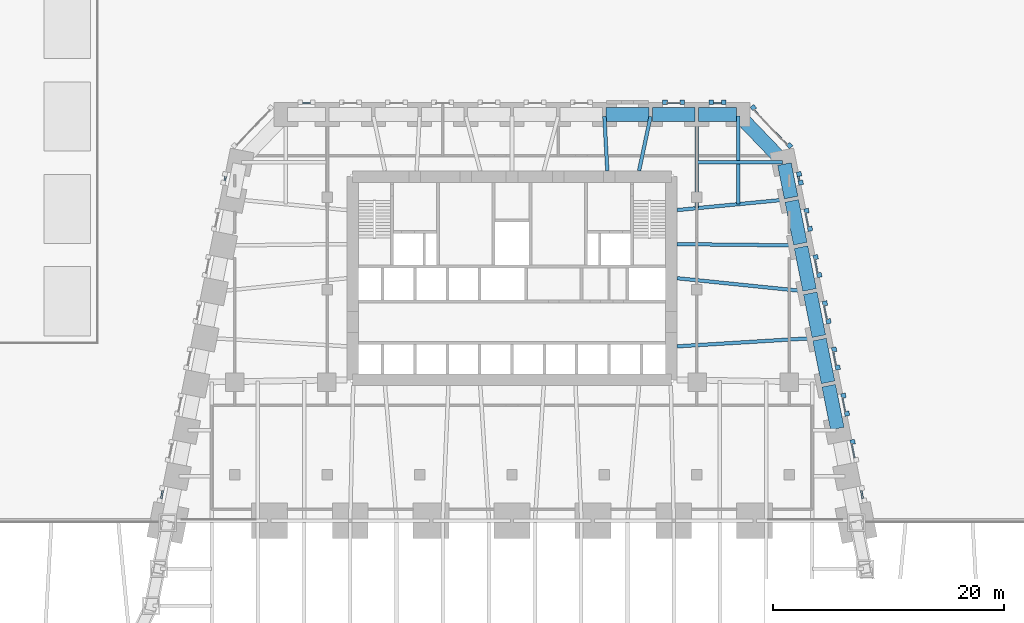
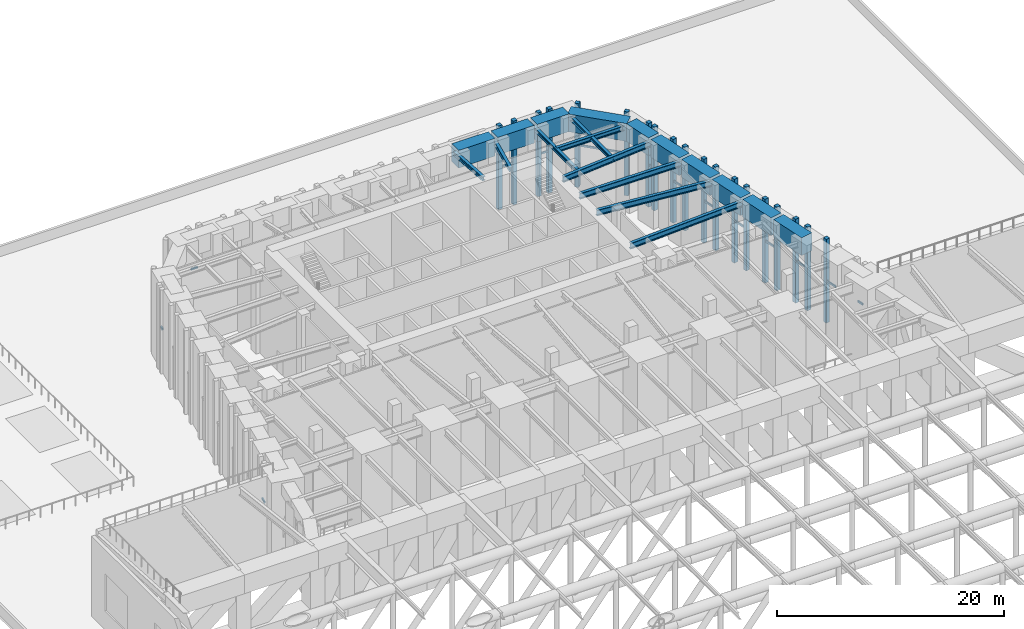
# One storey, part 9 of 20: 33 members, 19 beams, 14 elements without a shape of their own.
"""IFC4 building model written with IfcOpenShell, lengths in metres."""

from ifc_helpers import new_model, si_unit, direction, frame, origin, origin_2d, place, context, subcontext, project, spatial, rectangle, i_section, extrude, material, material_profile, profile_set, type_object, element, aggregate, save


model = new_model("IFC4")

# Units and contexts
model_context = context("Model", 3, precision=1e-05, world=origin(), true_north=direction((0.0, 1.0)))
body_context = subcontext(model_context, "Body", "Model", "MODEL_VIEW")
ifc_project = project(units=[si_unit("LENGTHUNIT", "METRE"), si_unit("AREAUNIT", "SQUARE_METRE"), si_unit("VOLUMEUNIT", "CUBIC_METRE"), si_unit("PLANEANGLEUNIT", "RADIAN"), si_unit("MASSUNIT", "GRAM", prefix="KILO")], contexts=[model_context])

# Site, building, storey
site_placement = place(None, origin())
site = spatial("IfcSite", under=ifc_project, at=site_placement, CompositionType="ELEMENT")
building_placement = place(site_placement, origin())
building = spatial("IfcBuilding", under=site, at=building_placement, Name="Isbrekke Arena Tower", CompositionType="ELEMENT")
storey_placement = place(building_placement, frame((0.0, 0.0, 19.0)))
storey = spatial("IfcBuildingStorey", under=building, at=storey_placement, Name="L03", CompositionType="ELEMENT", Elevation=19.0)

# Beams
ifc_material_1 = material(Name="Steel S355", Category="steel")
ifc_material_profile_1 = material_profile(ifc_material_1, i_section(OverallWidth=0.304931640625, OverallDepth=0.6201171875, WebThickness=0.02099609375, FlangeThickness=0.0400390625, FilletRadius=0.027099609375, at=origin_2d()), Name="HEM 600")
ifc_profile_set_1 = profile_set([ifc_material_profile_1], Name="Steel S355")
beam_type_1 = type_object("IfcBeamType", Name="B4 HEM 600", PredefinedType="BEAM", material=ifc_profile_set_1)
beam_1_placement = place(storey_placement, frame((26.431884765625, 9.837646484375, 8.43994140625), z_axis=(-0.998157121592, -0.060682457223, 0.0), x_axis=(0.060682457223, -0.998157121592, 0.0)))
element("IfcBeam", 1, at=beam_1_placement, inside=storey, type_object=beam_type_1, Name="B4 beam E-E07 L03", PredefinedType="BEAM", context=body_context, shape_type="SweptSolid", body=[
    extrude(i_section(OverallWidth=0.304931640625, OverallDepth=0.6201171875, WebThickness=0.02099609375, FlangeThickness=0.0400390625, FilletRadius=0.027099609375, at=origin_2d()), origin(), (0.0, 0.0, 1.0), 12.154296875),
])
beam_2_placement = place(storey_placement, frame((25.62548828125, 13.83984375, 8.43994140625), z_axis=(-0.99479415533, 0.10190480127, 0.0), x_axis=(-0.10190480127, -0.99479415533, 0.0)))
element("IfcBeam", 2, at=beam_2_placement, inside=storey, type_object=beam_type_1, Name="B4 beam E-E08 L03", PredefinedType="BEAM", context=body_context, shape_type="SweptSolid", body=[
    extrude(i_section(OverallWidth=0.304931640625, OverallDepth=0.6201171875, WebThickness=0.02099609375, FlangeThickness=0.0400390625, FilletRadius=0.027099609375, at=origin_2d()), origin(), (0.0, 0.0, 1.0), 11.384765625),
])
beam_3_placement = place(storey_placement, frame((24.83935546875, 17.838134765625, 8.43994140625), z_axis=(-0.999943724376, 0.010608868071, 0.0), x_axis=(-0.010608868071, -0.999943724376, 0.0)))
element("IfcBeam", 3, at=beam_3_placement, inside=storey, type_object=beam_type_1, Name="B4 beam E-E09 L03", PredefinedType="BEAM", context=body_context, shape_type="SweptSolid", body=[
    extrude(i_section(OverallWidth=0.304931640625, OverallDepth=0.6201171875, WebThickness=0.02099609375, FlangeThickness=0.0400390625, FilletRadius=0.027099609375, at=origin_2d()), origin(), (0.0, 0.0, 1.0), 10.539794921875),
])
beam_4_placement = place(storey_placement, frame((24.0263671875, 21.8369140625, 8.43994140625), z_axis=(-0.995391571349, -0.095893793791, 0.0), x_axis=(0.095893793791, -0.995391571349, 0.0)))
element("IfcBeam", 4, at=beam_4_placement, inside=storey, type_object=beam_type_1, Name="B4 beam E-E10 L03", PredefinedType="BEAM", context=body_context, shape_type="SweptSolid", body=[
    extrude(i_section(OverallWidth=0.304931640625, OverallDepth=0.6201171875, WebThickness=0.02099609375, FlangeThickness=0.0400390625, FilletRadius=0.027099609375, at=origin_2d()), origin(), (0.0, 0.0, 1.0), 9.771240234375),
])
ifc_material_2 = material(Name="Steel S355", Category="steel")
ifc_material_profile_2 = material_profile(ifc_material_2, i_section(OverallWidth=0.305908203125, OverallDepth=0.52392578125, WebThickness=0.02099609375, FlangeThickness=0.0400390625, FilletRadius=0.027099609375, at=origin_2d()), Name="HEM 500")
ifc_profile_set_2 = profile_set([ifc_material_profile_2], Name="Steel S355")
beam_type_2 = type_object("IfcBeamType", Name="B5 HEM 500", PredefinedType="BEAM", material=ifc_profile_set_2)
beam_5_placement = place(storey_placement, frame((23.40283203125, 25.029296875, 8.488037109375), z_axis=(-1.0, 0.0, 0.0), x_axis=(0.0, -1.0, 0.0)))
element("IfcBeam", 5, at=beam_5_placement, inside=storey, type_object=beam_type_2, Name="B5 beam E-E11 L03", PredefinedType="BEAM", context=body_context, shape_type="SweptSolid", body=[
    extrude(i_section(OverallWidth=0.305908203125, OverallDepth=0.52392578125, WebThickness=0.02099609375, FlangeThickness=0.0400390625, FilletRadius=0.027099609375, at=origin_2d()), origin(), (0.0, 0.0, 1.0), 7.40283203125),
])
ifc_material_3 = material(Name="Steel S355", Category="steel")
ifc_material_profile_3 = material_profile(ifc_material_3, i_section(OverallWidth=0.306884765625, OverallDepth=0.431884765625, WebThickness=0.02099609375, FlangeThickness=0.0400390625, FilletRadius=0.027099609375, at=origin_2d()), Name="HEM 400")
ifc_profile_set_3 = profile_set([ifc_material_profile_3], Name="Steel S355")
beam_type_3 = type_object("IfcBeamType", Name="B6 HEM 400", PredefinedType="BEAM", material=ifc_profile_set_3)
beam_6_placement = place(storey_placement, frame((19.574951171875, 29.02490234375, 8.533935546875), z_axis=(0.0, -1.0, 0.0), x_axis=(1.0, 0.0, 0.0)))
element("IfcBeam", 6, at=beam_6_placement, inside=storey, type_object=beam_type_3, Name="B6 beam N-N01 L03", PredefinedType="BEAM", context=body_context, shape_type="SweptSolid", body=[
    extrude(i_section(OverallWidth=0.306884765625, OverallDepth=0.431884765625, WebThickness=0.02099609375, FlangeThickness=0.0400390625, FilletRadius=0.027099609375, at=origin_2d()), origin(), (0.0, 0.0, 1.0), 7.616943359375),
])
beam_7_placement = place(storey_placement, frame((16.0, 29.02490234375, 8.533935546875), z_axis=(0.0, -1.0, 0.0), x_axis=(1.0, 0.0, 0.0)))
element("IfcBeam", 7, at=beam_7_placement, inside=storey, type_object=beam_type_3, Name="B6 beam N-N02 L03", PredefinedType="BEAM", context=body_context, shape_type="SweptSolid", body=[
    extrude(i_section(OverallWidth=0.306884765625, OverallDepth=0.431884765625, WebThickness=0.02099609375, FlangeThickness=0.0400390625, FilletRadius=0.027099609375, at=origin_2d()), origin(), (0.0, 0.0, 1.0), 7.961181640625),
])
beam_8_placement = place(storey_placement, frame((11.993408203125, 28.993896484375, 8.533935546875), z_axis=(-0.207054129185, -0.978329488254, 0.0), x_axis=(0.978329488254, -0.207054129185, 0.0)))
element("IfcBeam", 8, at=beam_8_placement, inside=storey, type_object=beam_type_3, Name="B6 beam N-N03 L03", PredefinedType="BEAM", context=body_context, shape_type="SweptSolid", body=[
    extrude(i_section(OverallWidth=0.306884765625, OverallDepth=0.431884765625, WebThickness=0.02099609375, FlangeThickness=0.0400390625, FilletRadius=0.027099609375, at=origin_2d()), origin(), (0.0, 0.0, 1.0), 4.7978515625),
])
beam_9_placement = place(storey_placement, frame((8.00048828125, 29.016845703125, 8.533935546875), z_axis=(0.05282469383, -0.998603801175, 0.0), x_axis=(0.998603801175, 0.05282469383, 0.0)))
element("IfcBeam", 9, at=beam_9_placement, inside=storey, type_object=beam_type_3, Name="B6 beam N-N04 L03", PredefinedType="BEAM", context=body_context, shape_type="SweptSolid", body=[
    extrude(i_section(OverallWidth=0.306884765625, OverallDepth=0.431884765625, WebThickness=0.02099609375, FlangeThickness=0.0400390625, FilletRadius=0.027099609375, at=origin_2d()), origin(), (0.0, 0.0, 1.0), 4.723388671875),
])

# Curtain wall, member
ifc_material_4 = material(Name="Glazed aluminium curtain wall", Category="aluminium")
curtain_wall_type = type_object("IfcCurtainWallType", Name="CWR PLANT LOUVRE WALL", PredefinedType="USERDEFINED", material=ifc_material_4)
curtain_wall_1_placement = place(storey_placement, origin())
curtain_wall_1 = element("IfcCurtainWall", 10, at=curtain_wall_1_placement, inside=storey, type_object=curtain_wall_type, Name="CWR curtain wall L03-E3", ObjectType="PLANT LOUVRE WALL", PredefinedType="USERDEFINED")
ifc_material_5 = material(Name="Aluminium mullion, pale brick slip cladding", Category="masonry")
ifc_material_profile_4 = material_profile(ifc_material_5, rectangle(XDim=0.39990234375, YDim=0.39990234375, at=origin_2d()), Name="PIER 400X400")
ifc_profile_set_4 = profile_set([ifc_material_profile_4], Name="Aluminium mullion, pale brick slip cladding")
member_type_1 = type_object("IfcMemberType", Name="CWR-M PIER MULLION 400 x 400", PredefinedType="MULLION", material=ifc_profile_set_4)
member_1_placement = place(storey_placement, frame((29.490234375, 0.8232421875, 0.0), z_axis=(0.0, 0.0, 1.0), x_axis=(-0.196116135138, 0.980580675691, 0.0)))
member_1 = element("IfcMember", 11, at=member_1_placement, type_object=member_type_1, Name="CWR-M mullion 2", PredefinedType="MULLION", context=body_context, shape_type="SweptSolid", body=[
    extrude(rectangle(XDim=0.39990234375, YDim=0.39990234375, at=origin_2d()), origin(), (0.0, 0.0, 1.0), 9.0),
])

# Curtain wall, members
curtain_wall_2_placement = place(storey_placement, origin())
curtain_wall_2 = element("IfcCurtainWall", 12, at=curtain_wall_2_placement, inside=storey, type_object=curtain_wall_type, Name="CWR curtain wall L03-E5", ObjectType="PLANT LOUVRE WALL", PredefinedType="USERDEFINED")
member_2_placement = place(storey_placement, frame((29.0, 3.274658203125, 0.0), z_axis=(0.0, 0.0, 1.0), x_axis=(-0.196116135138, 0.980580675691, 0.0)))
member_2 = element("IfcMember", 13, at=member_2_placement, type_object=member_type_1, Name="CWR-M mullion 1", PredefinedType="MULLION", context=body_context, shape_type="SweptSolid", body=[
    extrude(rectangle(XDim=0.39990234375, YDim=0.39990234375, at=origin_2d()), origin(), (0.0, 0.0, 1.0), 9.0),
])
member_3_placement = place(storey_placement, frame((28.690185546875, 4.8232421875, 0.0), z_axis=(0.0, 0.0, 1.0), x_axis=(-0.196116135138, 0.980580675691, 0.0)))
member_3 = element("IfcMember", 14, at=member_3_placement, type_object=member_type_1, Name="CWR-M mullion 2", PredefinedType="MULLION", context=body_context, shape_type="SweptSolid", body=[
    extrude(rectangle(XDim=0.39990234375, YDim=0.39990234375, at=origin_2d()), origin(), (0.0, 0.0, 1.0), 9.0),
])

curtain_wall_3_placement = place(storey_placement, origin())
curtain_wall_3 = element("IfcCurtainWall", 15, at=curtain_wall_3_placement, inside=storey, type_object=curtain_wall_type, Name="CWR curtain wall L03-E7", ObjectType="PLANT LOUVRE WALL", PredefinedType="USERDEFINED")
member_4_placement = place(storey_placement, frame((28.199951171875, 7.274658203125, 0.0), z_axis=(0.0, 0.0, 1.0), x_axis=(-0.196116135138, 0.980580675691, 0.0)))
member_4 = element("IfcMember", 16, at=member_4_placement, type_object=member_type_1, Name="CWR-M mullion 1", PredefinedType="MULLION", context=body_context, shape_type="SweptSolid", body=[
    extrude(rectangle(XDim=0.39990234375, YDim=0.39990234375, at=origin_2d()), origin(), (0.0, 0.0, 1.0), 9.0),
])
member_5_placement = place(storey_placement, frame((27.890380859375, 8.8232421875, 0.0), z_axis=(0.0, 0.0, 1.0), x_axis=(-0.196116135138, 0.980580675691, 0.0)))
member_5 = element("IfcMember", 17, at=member_5_placement, type_object=member_type_1, Name="CWR-M mullion 2", PredefinedType="MULLION", context=body_context, shape_type="SweptSolid", body=[
    extrude(rectangle(XDim=0.39990234375, YDim=0.39990234375, at=origin_2d()), origin(), (0.0, 0.0, 1.0), 9.0),
])

curtain_wall_4_placement = place(storey_placement, origin())
curtain_wall_4 = element("IfcCurtainWall", 18, at=curtain_wall_4_placement, inside=storey, type_object=curtain_wall_type, Name="CWR curtain wall L03-E9", ObjectType="PLANT LOUVRE WALL", PredefinedType="USERDEFINED")
member_6_placement = place(storey_placement, frame((27.39990234375, 11.274658203125, 0.0), z_axis=(0.0, 0.0, 1.0), x_axis=(-0.196116135138, 0.980580675691, 0.0)))
member_6 = element("IfcMember", 19, at=member_6_placement, type_object=member_type_1, Name="CWR-M mullion 1", PredefinedType="MULLION", context=body_context, shape_type="SweptSolid", body=[
    extrude(rectangle(XDim=0.39990234375, YDim=0.39990234375, at=origin_2d()), origin(), (0.0, 0.0, 1.0), 9.0),
])
member_7_placement = place(storey_placement, frame((27.09033203125, 12.8232421875, 0.0), z_axis=(0.0, 0.0, 1.0), x_axis=(-0.196116135138, 0.980580675691, 0.0)))
member_7 = element("IfcMember", 20, at=member_7_placement, type_object=member_type_1, Name="CWR-M mullion 2", PredefinedType="MULLION", context=body_context, shape_type="SweptSolid", body=[
    extrude(rectangle(XDim=0.39990234375, YDim=0.39990234375, at=origin_2d()), origin(), (0.0, 0.0, 1.0), 9.0),
])

curtain_wall_5_placement = place(storey_placement, origin())
curtain_wall_5 = element("IfcCurtainWall", 21, at=curtain_wall_5_placement, inside=storey, type_object=curtain_wall_type, Name="CWR curtain wall L03-E11", ObjectType="PLANT LOUVRE WALL", PredefinedType="USERDEFINED")
member_8_placement = place(storey_placement, frame((26.60009765625, 15.274658203125, 0.0), z_axis=(0.0, 0.0, 1.0), x_axis=(-0.196116135138, 0.980580675691, 0.0)))
member_8 = element("IfcMember", 22, at=member_8_placement, type_object=member_type_1, Name="CWR-M mullion 1", PredefinedType="MULLION", context=body_context, shape_type="SweptSolid", body=[
    extrude(rectangle(XDim=0.39990234375, YDim=0.39990234375, at=origin_2d()), origin(), (0.0, 0.0, 1.0), 9.0),
])
member_9_placement = place(storey_placement, frame((26.290283203125, 16.8232421875, 0.0), z_axis=(0.0, 0.0, 1.0), x_axis=(-0.196116135138, 0.980580675691, 0.0)))
member_9 = element("IfcMember", 23, at=member_9_placement, type_object=member_type_1, Name="CWR-M mullion 2", PredefinedType="MULLION", context=body_context, shape_type="SweptSolid", body=[
    extrude(rectangle(XDim=0.39990234375, YDim=0.39990234375, at=origin_2d()), origin(), (0.0, 0.0, 1.0), 9.0),
])

curtain_wall_6_placement = place(storey_placement, origin())
curtain_wall_6 = element("IfcCurtainWall", 24, at=curtain_wall_6_placement, inside=storey, type_object=curtain_wall_type, Name="CWR curtain wall L03-E13", ObjectType="PLANT LOUVRE WALL", PredefinedType="USERDEFINED")
member_10_placement = place(storey_placement, frame((25.800048828125, 19.274658203125, 0.0), z_axis=(0.0, 0.0, 1.0), x_axis=(-0.196116135138, 0.980580675691, 0.0)))
member_10 = element("IfcMember", 25, at=member_10_placement, type_object=member_type_1, Name="CWR-M mullion 1", PredefinedType="MULLION", context=body_context, shape_type="SweptSolid", body=[
    extrude(rectangle(XDim=0.39990234375, YDim=0.39990234375, at=origin_2d()), origin(), (0.0, 0.0, 1.0), 9.0),
])
member_11_placement = place(storey_placement, frame((25.490234375, 20.8232421875, 0.0), z_axis=(0.0, 0.0, 1.0), x_axis=(-0.196116135138, 0.980580675691, 0.0)))
member_11 = element("IfcMember", 26, at=member_11_placement, type_object=member_type_1, Name="CWR-M mullion 2", PredefinedType="MULLION", context=body_context, shape_type="SweptSolid", body=[
    extrude(rectangle(XDim=0.39990234375, YDim=0.39990234375, at=origin_2d()), origin(), (0.0, 0.0, 1.0), 9.0),
])

curtain_wall_7_placement = place(storey_placement, origin())
curtain_wall_7 = element("IfcCurtainWall", 27, at=curtain_wall_7_placement, inside=storey, type_object=curtain_wall_type, Name="CWR curtain wall L03-E15", ObjectType="PLANT LOUVRE WALL", PredefinedType="USERDEFINED")
member_12_placement = place(storey_placement, frame((25.0, 23.274658203125, 0.0), z_axis=(0.0, 0.0, 1.0), x_axis=(-0.196116135138, 0.980580675691, 0.0)))
member_12 = element("IfcMember", 28, at=member_12_placement, type_object=member_type_1, Name="CWR-M mullion 1", PredefinedType="MULLION", context=body_context, shape_type="SweptSolid", body=[
    extrude(rectangle(XDim=0.39990234375, YDim=0.39990234375, at=origin_2d()), origin(), (0.0, 0.0, 1.0), 9.0),
])
member_13_placement = place(storey_placement, frame((24.851806640625, 24.016357421875, 0.0), z_axis=(0.0, 0.0, 1.0), x_axis=(-0.196116135138, 0.980580675691, 0.0)))
member_13 = element("IfcMember", 29, at=member_13_placement, type_object=member_type_1, Name="CWR-M mullion 2", PredefinedType="MULLION", context=body_context, shape_type="SweptSolid", body=[
    extrude(rectangle(XDim=0.39990234375, YDim=0.39990234375, at=origin_2d()), origin(), (0.0, 0.0, 1.0), 9.0),
])

curtain_wall_8_placement = place(storey_placement, origin())
curtain_wall_8 = element("IfcCurtainWall", 30, at=curtain_wall_8_placement, inside=storey, type_object=curtain_wall_type, Name="CWR curtain wall L03-EN", ObjectType="PLANT LOUVRE WALL", PredefinedType="USERDEFINED")
member_14_placement = place(storey_placement, frame((24.0263671875, 26.47314453125, 0.0), z_axis=(0.0, 0.0, 1.0), x_axis=(-0.68874946192, 0.72499943359, 0.0)))
member_14 = element("IfcMember", 31, at=member_14_placement, type_object=member_type_1, Name="CWR-M mullion 1", PredefinedType="MULLION", context=body_context, shape_type="SweptSolid", body=[
    extrude(rectangle(XDim=0.39990234375, YDim=0.39990234375, at=origin_2d()), origin(), (0.0, 0.0, 1.0), 9.0),
])
member_15_placement = place(storey_placement, frame((20.9052734375, 29.758544921875, 0.0), z_axis=(0.0, 0.0, 1.0), x_axis=(-0.68874946192, 0.72499943359, 0.0)))
member_15 = element("IfcMember", 32, at=member_15_placement, type_object=member_type_1, Name="CWR-M mullion 2", PredefinedType="MULLION", context=body_context, shape_type="SweptSolid", body=[
    extrude(rectangle(XDim=0.39990234375, YDim=0.39990234375, at=origin_2d()), origin(), (0.0, 0.0, 1.0), 9.0),
])

curtain_wall_9_placement = place(storey_placement, origin())
curtain_wall_9 = element("IfcCurtainWall", 33, at=curtain_wall_9_placement, inside=storey, type_object=curtain_wall_type, Name="CWR curtain wall L03-N", ObjectType="PLANT LOUVRE WALL", PredefinedType="USERDEFINED")
member_16_placement = place(storey_placement, frame((18.326904296875, 30.25, 0.0), z_axis=(0.0, 0.0, 1.0), x_axis=(-1.0, 0.0, 0.0)))
member_16 = element("IfcMember", 34, at=member_16_placement, type_object=member_type_1, Name="CWR-M mullion 1", PredefinedType="MULLION", context=body_context, shape_type="SweptSolid", body=[
    extrude(rectangle(XDim=0.39990234375, YDim=0.39990234375, at=origin_2d()), origin(), (0.0, 0.0, 1.0), 9.0),
])
member_17_placement = place(storey_placement, frame((17.25, 30.25, 0.0), z_axis=(0.0, 0.0, 1.0), x_axis=(-1.0, 0.0, 0.0)))
member_17 = element("IfcMember", 35, at=member_17_placement, type_object=member_type_1, Name="CWR-M mullion 2", PredefinedType="MULLION", context=body_context, shape_type="SweptSolid", body=[
    extrude(rectangle(XDim=0.39990234375, YDim=0.39990234375, at=origin_2d()), origin(), (0.0, 0.0, 1.0), 9.0),
])

curtain_wall_10_placement = place(storey_placement, origin())
curtain_wall_10 = element("IfcCurtainWall", 36, at=curtain_wall_10_placement, inside=storey, type_object=curtain_wall_type, Name="CWR curtain wall L03-N3", ObjectType="PLANT LOUVRE WALL", PredefinedType="USERDEFINED")
member_18_placement = place(storey_placement, frame((14.75, 30.25, 0.0), z_axis=(0.0, 0.0, 1.0), x_axis=(-1.0, 0.0, 0.0)))
member_18 = element("IfcMember", 37, at=member_18_placement, type_object=member_type_1, Name="CWR-M mullion 1", PredefinedType="MULLION", context=body_context, shape_type="SweptSolid", body=[
    extrude(rectangle(XDim=0.39990234375, YDim=0.39990234375, at=origin_2d()), origin(), (0.0, 0.0, 1.0), 9.0),
])
member_19_placement = place(storey_placement, frame((13.248046875, 30.25, 0.0), z_axis=(0.0, 0.0, 1.0), x_axis=(-1.0, 0.0, 0.0)))
member_19 = element("IfcMember", 38, at=member_19_placement, type_object=member_type_1, Name="CWR-M mullion 2", PredefinedType="MULLION", context=body_context, shape_type="SweptSolid", body=[
    extrude(rectangle(XDim=0.39990234375, YDim=0.39990234375, at=origin_2d()), origin(), (0.0, 0.0, 1.0), 9.0),
])

# Curtain wall, member
curtain_wall_11_placement = place(storey_placement, origin())
curtain_wall_11 = element("IfcCurtainWall", 39, at=curtain_wall_11_placement, inside=storey, type_object=curtain_wall_type, Name="CWR curtain wall L03-E", ObjectType="PLANT LOUVRE WALL", PredefinedType="USERDEFINED")
ifc_material_6 = material(Name="Aluminium transom", Category="aluminium")
ifc_material_profile_5 = material_profile(ifc_material_6, rectangle(XDim=0.1201171875, YDim=0.199951171875, at=origin_2d()), Name="TRANSOM 120X200")
ifc_profile_set_5 = profile_set([ifc_material_profile_5], Name="Aluminium transom")
member_type_2 = type_object("IfcMemberType", Name="CWR-T TRANSOM 120 x 200", PredefinedType="USERDEFINED", material=ifc_profile_set_5)
member_20_placement = place(storey_placement, frame((30.364990234375, -4.060302734375, 4.5), z_axis=(-0.196047210729, 0.980594458054, 0.0), x_axis=(-0.980594458054, -0.196047210729, 0.0)))
member_20 = element("IfcMember", 40, at=member_20_placement, type_object=member_type_2, Name="CWR-T transom 1", ObjectType="TRANSOM", PredefinedType="USERDEFINED", context=body_context, shape_type="SweptSolid", body=[
    extrude(rectangle(XDim=0.1201171875, YDim=0.199951171875, at=origin_2d()), origin(), (0.0, 0.0, 1.0), 0.68115234375),
])
aggregate(curtain_wall_11, [member_20])

# Member
member_21_placement = place(storey_placement, frame((29.66259765625, -0.548828125, 4.5), z_axis=(-0.196036516055, 0.980596596146, 0.0), x_axis=(-0.980596596146, -0.196036516055, 0.0)))
member_21 = element("IfcMember", 41, at=member_21_placement, type_object=member_type_2, Name="CWR-T transom 1", ObjectType="TRANSOM", PredefinedType="USERDEFINED", context=body_context, shape_type="SweptSolid", body=[
    extrude(rectangle(XDim=0.1201171875, YDim=0.199951171875, at=origin_2d()), origin(), (0.0, 0.0, 1.0), 1.179443359375),
])

aggregate(curtain_wall_1, [member_1, member_21])

member_22_placement = place(storey_placement, frame((28.86279296875, 3.451171875, 4.5), z_axis=(-0.196235556491, 0.980556783857, 0.0), x_axis=(-0.980556783857, -0.196235556491, 0.0)))
member_22 = element("IfcMember", 42, at=member_22_placement, type_object=member_type_2, Name="CWR-T transom 1", ObjectType="TRANSOM", PredefinedType="USERDEFINED", context=body_context, shape_type="SweptSolid", body=[
    extrude(rectangle(XDim=0.1201171875, YDim=0.199951171875, at=origin_2d()), origin(), (0.0, 0.0, 1.0), 1.179443359375),
])

aggregate(curtain_wall_2, [member_2, member_3, member_22])

member_23_placement = place(storey_placement, frame((28.062744140625, 7.451171875, 4.5), z_axis=(-0.196036516055, 0.980596596146, 0.0), x_axis=(-0.980596596146, -0.196036516055, 0.0)))
member_23 = element("IfcMember", 43, at=member_23_placement, type_object=member_type_2, Name="CWR-T transom 1", ObjectType="TRANSOM", PredefinedType="USERDEFINED", context=body_context, shape_type="SweptSolid", body=[
    extrude(rectangle(XDim=0.1201171875, YDim=0.199951171875, at=origin_2d()), origin(), (0.0, 0.0, 1.0), 1.179443359375),
])

aggregate(curtain_wall_3, [member_4, member_5, member_23])

member_24_placement = place(storey_placement, frame((27.2626953125, 11.451171875, 4.5), z_axis=(-0.196036516055, 0.980596596146, 0.0), x_axis=(-0.980596596146, -0.196036516055, 0.0)))
member_24 = element("IfcMember", 44, at=member_24_placement, type_object=member_type_2, Name="CWR-T transom 1", ObjectType="TRANSOM", PredefinedType="USERDEFINED", context=body_context, shape_type="SweptSolid", body=[
    extrude(rectangle(XDim=0.1201171875, YDim=0.199951171875, at=origin_2d()), origin(), (0.0, 0.0, 1.0), 1.179443359375),
])

aggregate(curtain_wall_4, [member_6, member_7, member_24])

member_25_placement = place(storey_placement, frame((26.462646484375, 15.451171875, 4.5), z_axis=(-0.196036516055, 0.980596596146, 0.0), x_axis=(-0.980596596146, -0.196036516055, 0.0)))
member_25 = element("IfcMember", 45, at=member_25_placement, type_object=member_type_2, Name="CWR-T transom 1", ObjectType="TRANSOM", PredefinedType="USERDEFINED", context=body_context, shape_type="SweptSolid", body=[
    extrude(rectangle(XDim=0.1201171875, YDim=0.199951171875, at=origin_2d()), origin(), (0.0, 0.0, 1.0), 1.179443359375),
])

aggregate(curtain_wall_5, [member_8, member_9, member_25])

member_26_placement = place(storey_placement, frame((25.66259765625, 19.451171875, 4.5), z_axis=(-0.196036516055, 0.980596596146, 0.0), x_axis=(-0.980596596146, -0.196036516055, 0.0)))
member_26 = element("IfcMember", 46, at=member_26_placement, type_object=member_type_2, Name="CWR-T transom 1", ObjectType="TRANSOM", PredefinedType="USERDEFINED", context=body_context, shape_type="SweptSolid", body=[
    extrude(rectangle(XDim=0.1201171875, YDim=0.199951171875, at=origin_2d()), origin(), (0.0, 0.0, 1.0), 1.179443359375),
])

aggregate(curtain_wall_6, [member_10, member_11, member_26])

member_27_placement = place(storey_placement, frame((24.86279296875, 23.451171875, 4.5), z_axis=(-0.195984352603, 0.980607022989, 0.0), x_axis=(-0.980607022989, -0.195984352603, 0.0)))
member_27 = element("IfcMember", 47, at=member_27_placement, type_object=member_type_2, Name="CWR-T transom 1", ObjectType="TRANSOM", PredefinedType="USERDEFINED", context=body_context, shape_type="SweptSolid", body=[
    extrude(rectangle(XDim=0.1201171875, YDim=0.199951171875, at=origin_2d()), origin(), (0.0, 0.0, 1.0), 0.356201171875),
])

aggregate(curtain_wall_7, [member_12, member_13, member_27])

member_28_placement = place(storey_placement, frame((23.816162109375, 26.54931640625, 4.5), z_axis=(-0.688732378247, 0.725015662696, 0.0), x_axis=(-0.725015662696, -0.688732378247, 0.0)))
member_28 = element("IfcMember", 48, at=member_28_placement, type_object=member_type_2, Name="CWR-T transom 1", ObjectType="TRANSOM", PredefinedType="USERDEFINED", context=body_context, shape_type="SweptSolid", body=[
    extrude(rectangle(XDim=0.1201171875, YDim=0.199951171875, at=origin_2d()), origin(), (0.0, 0.0, 1.0), 4.13134765625),
])

aggregate(curtain_wall_8, [member_14, member_15, member_28])

member_29_placement = place(storey_placement, frame((18.126953125, 30.14990234375, 4.5), z_axis=(-1.0, 0.0, 0.0), x_axis=(0.0, -1.0, 0.0)))
member_29 = element("IfcMember", 49, at=member_29_placement, type_object=member_type_2, Name="CWR-T transom 1", ObjectType="TRANSOM", PredefinedType="USERDEFINED", context=body_context, shape_type="SweptSolid", body=[
    extrude(rectangle(XDim=0.1201171875, YDim=0.199951171875, at=origin_2d()), origin(), (0.0, 0.0, 1.0), 0.677001953125),
])

aggregate(curtain_wall_9, [member_16, member_17, member_29])

member_30_placement = place(storey_placement, frame((14.550048828125, 30.14990234375, 4.5), z_axis=(-1.0, 0.0, 0.0), x_axis=(0.0, -1.0, 0.0)))
member_30 = element("IfcMember", 50, at=member_30_placement, type_object=member_type_2, Name="CWR-T transom 1", ObjectType="TRANSOM", PredefinedType="USERDEFINED", context=body_context, shape_type="SweptSolid", body=[
    extrude(rectangle(XDim=0.1201171875, YDim=0.199951171875, at=origin_2d()), origin(), (0.0, 0.0, 1.0), 1.10205078125),
])

aggregate(curtain_wall_10, [member_18, member_19, member_30])

# Curtain wall, member
curtain_wall_12_placement = place(storey_placement, origin())
curtain_wall_12 = element("IfcCurtainWall", 51, at=curtain_wall_12_placement, inside=storey, type_object=curtain_wall_type, Name="CWR curtain wall L03-N213", ObjectType="PLANT LOUVRE WALL", PredefinedType="USERDEFINED")
member_31_placement = place(storey_placement, frame((-17.449951171875, 30.14990234375, 4.5), z_axis=(-1.0, 0.0, 0.0), x_axis=(0.0, -1.0, 0.0)))
member_31 = element("IfcMember", 52, at=member_31_placement, type_object=member_type_2, Name="CWR-T transom 1", ObjectType="TRANSOM", PredefinedType="USERDEFINED", context=body_context, shape_type="SweptSolid", body=[
    extrude(rectangle(XDim=0.1201171875, YDim=0.199951171875, at=origin_2d()), origin(), (0.0, 0.0, 1.0), 0.677001953125),
])
aggregate(curtain_wall_12, [member_31])

curtain_wall_13_placement = place(storey_placement, origin())
curtain_wall_13 = element("IfcCurtainWall", 53, at=curtain_wall_13_placement, inside=storey, type_object=curtain_wall_type, Name="CWR curtain wall L03-W", ObjectType="PLANT LOUVRE WALL", PredefinedType="USERDEFINED")
member_32_placement = place(storey_placement, frame((-24.79296875, 23.800537109375, 4.5), z_axis=(-0.195984352603, -0.980607022989, 0.0), x_axis=(0.980607022989, -0.195984352603, 0.0)))
member_32 = element("IfcMember", 54, at=member_32_placement, type_object=member_type_2, Name="CWR-T transom 1", ObjectType="TRANSOM", PredefinedType="USERDEFINED", context=body_context, shape_type="SweptSolid", body=[
    extrude(rectangle(XDim=0.1201171875, YDim=0.199951171875, at=origin_2d()), origin(), (0.0, 0.0, 1.0), 0.356201171875),
])
aggregate(curtain_wall_13, [member_32])

curtain_wall_14_placement = place(storey_placement, origin())
curtain_wall_14 = element("IfcCurtainWall", 55, at=curtain_wall_14_placement, inside=storey, type_object=curtain_wall_type, Name="CWR curtain wall L03-W15", ObjectType="PLANT LOUVRE WALL", PredefinedType="USERDEFINED")
member_33_placement = place(storey_placement, frame((-30.2314453125, -3.392333984375, 4.5), z_axis=(-0.196047210729, -0.980594458054, 0.0), x_axis=(0.980594458054, -0.196047210729, 0.0)))
member_33 = element("IfcMember", 56, at=member_33_placement, type_object=member_type_2, Name="CWR-T transom 1", ObjectType="TRANSOM", PredefinedType="USERDEFINED", context=body_context, shape_type="SweptSolid", body=[
    extrude(rectangle(XDim=0.1201171875, YDim=0.199951171875, at=origin_2d()), origin(), (0.0, 0.0, 1.0), 0.68115234375),
])
aggregate(curtain_wall_14, [member_33])

# Beams
ifc_material_7 = material(Name="Concrete B90 (C90/105)", Category="concrete")
ifc_material_profile_6 = material_profile(ifc_material_7, rectangle(XDim=1.199951171875, YDim=1.89990234375, at=origin_2d()), Name="RC 1200x1900")
ifc_profile_set_6 = profile_set([ifc_material_profile_6], Name="Concrete B90 (C90/105)")
beam_type_4 = type_object("IfcBeamType", Name="SB9 RC 1200 x 1900", PredefinedType="SPANDREL", material=ifc_profile_set_6)
for number, where, z_axis, x_axis, name in (
    (57, (28.16162109375, 1.9853515625, 8.050048828125), (-0.196128558387, 0.980578190959, 0.0), (-0.980578190959, -0.196128558387, 0.0), "SB9 spandrel E05-E06 L03"),
    (58, (27.361572265625, 5.9853515625, 8.050048828125), (-0.196128558387, 0.980578190959, 0.0), (-0.980578190959, -0.196128558387, 0.0), "SB9 spandrel E06-E07 L03"),
):
    element("IfcBeam", number, at=place(storey_placement, frame(where, z_axis=z_axis, x_axis=x_axis)), inside=storey, type_object=beam_type_4, Name=name, PredefinedType="SPANDREL", context=body_context, shape_type="SweptSolid", body=[
        extrude(rectangle(XDim=1.199951171875, YDim=1.89990234375, at=origin_2d()), origin(), (0.0, 0.0, 1.0), 3.779296875),
    ])
beam_10_placement = place(storey_placement, frame((26.5615234375, 9.9853515625, 8.050048828125), z_axis=(-0.1960664412, 0.980590613169, 0.0), x_axis=(-0.980590613169, -0.1960664412, 0.0)))
element("IfcBeam", 59, at=beam_10_placement, inside=storey, type_object=beam_type_4, Name="SB9 spandrel E07-E08 L03", PredefinedType="SPANDREL", context=body_context, shape_type="SweptSolid", body=[
    extrude(rectangle(XDim=1.199951171875, YDim=1.89990234375, at=origin_2d()), origin(), (0.0, 0.0, 1.0), 3.779052734375),
])
for number, where, z_axis, x_axis, name in (
    (60, (25.76171875, 13.9853515625, 8.050048828125), (-0.196128558387, 0.980578190959, 0.0), (-0.980578190959, -0.196128558387, 0.0), "SB9 spandrel E08-E09 L03"),
    (61, (24.961669921875, 17.9853515625, 8.050048828125), (-0.196128558387, 0.980578190959, 0.0), (-0.980578190959, -0.196128558387, 0.0), "SB9 spandrel E09-E10 L03"),
):
    element("IfcBeam", number, at=place(storey_placement, frame(where, z_axis=z_axis, x_axis=x_axis)), inside=storey, type_object=beam_type_4, Name=name, PredefinedType="SPANDREL", context=body_context, shape_type="SweptSolid", body=[
        extrude(rectangle(XDim=1.199951171875, YDim=1.89990234375, at=origin_2d()), origin(), (0.0, 0.0, 1.0), 3.779296875),
    ])
beam_11_placement = place(storey_placement, frame((24.16162109375, 21.9853515625, 8.050048828125), z_axis=(-0.196116135138, 0.980580675691, 0.0), x_axis=(-0.980580675691, -0.196116135138, 0.0)))
element("IfcBeam", 62, at=beam_11_placement, inside=storey, type_object=beam_type_4, Name="SB9 spandrel E10-E11 L03", PredefinedType="SPANDREL", context=body_context, shape_type="SweptSolid", body=[
    extrude(rectangle(XDim=1.199951171875, YDim=1.89990234375, at=origin_2d()), origin(), (0.0, 0.0, 1.0), 2.9541015625),
])
beam_12_placement = place(storey_placement, frame((23.448974609375, 25.137451171875, 8.050048828125), z_axis=(-0.692339547635, 0.721571861134, 0.0), x_axis=(-0.721571861134, -0.692339547635, 0.0)))
element("IfcBeam", 63, at=beam_12_placement, inside=storey, type_object=beam_type_4, Name="SB9 spandrel E11-N01 L03", PredefinedType="SPANDREL", context=body_context, shape_type="SweptSolid", body=[
    extrude(rectangle(XDim=1.199951171875, YDim=1.89990234375, at=origin_2d()), origin(), (0.0, 0.0, 1.0), 5.4453125),
])
beam_13_placement = place(storey_placement, frame((19.425048828125, 29.175048828125, 8.050048828125), z_axis=(-1.0, 0.0, 0.0), x_axis=(0.0, -1.0, 0.0)))
element("IfcBeam", 64, at=beam_13_placement, inside=storey, type_object=beam_type_4, Name="SB9 spandrel N01-N02 L03", PredefinedType="SPANDREL", context=body_context, shape_type="SweptSolid", body=[
    extrude(rectangle(XDim=1.199951171875, YDim=1.89990234375, at=origin_2d()), origin(), (0.0, 0.0, 1.0), 3.275146484375),
])
for number, where, z_axis, x_axis, name in (
    (65, (15.85009765625, 29.175048828125, 8.050048828125), (-1.0, 0.0, 0.0), (0.0, -1.0, 0.0), "SB9 spandrel N02-N03 L03"),
    (66, (11.85009765625, 29.175048828125, 8.050048828125), (-1.0, 0.0, 0.0), (0.0, -1.0, 0.0), "SB9 spandrel N03-N04 L03"),
):
    element("IfcBeam", number, at=place(storey_placement, frame(where, z_axis=z_axis, x_axis=x_axis)), inside=storey, type_object=beam_type_4, Name=name, PredefinedType="SPANDREL", context=body_context, shape_type="SweptSolid", body=[
        extrude(rectangle(XDim=1.199951171875, YDim=1.89990234375, at=origin_2d()), origin(), (0.0, 0.0, 1.0), 3.7001953125),
    ])

save(model, "model.ifc")
